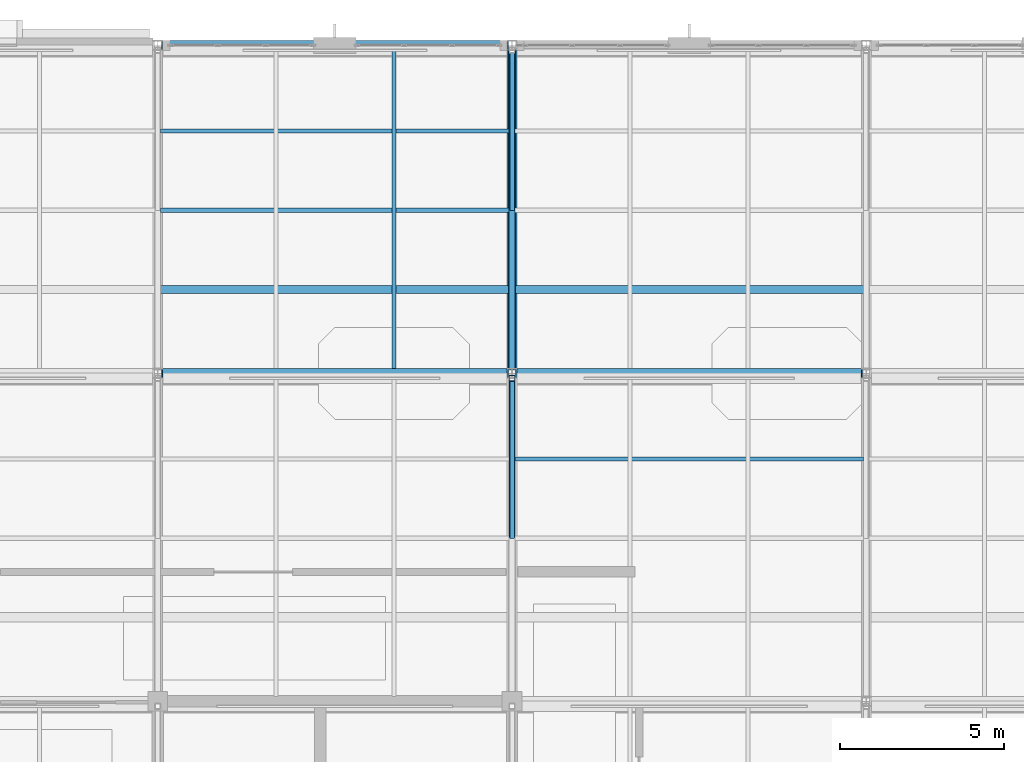
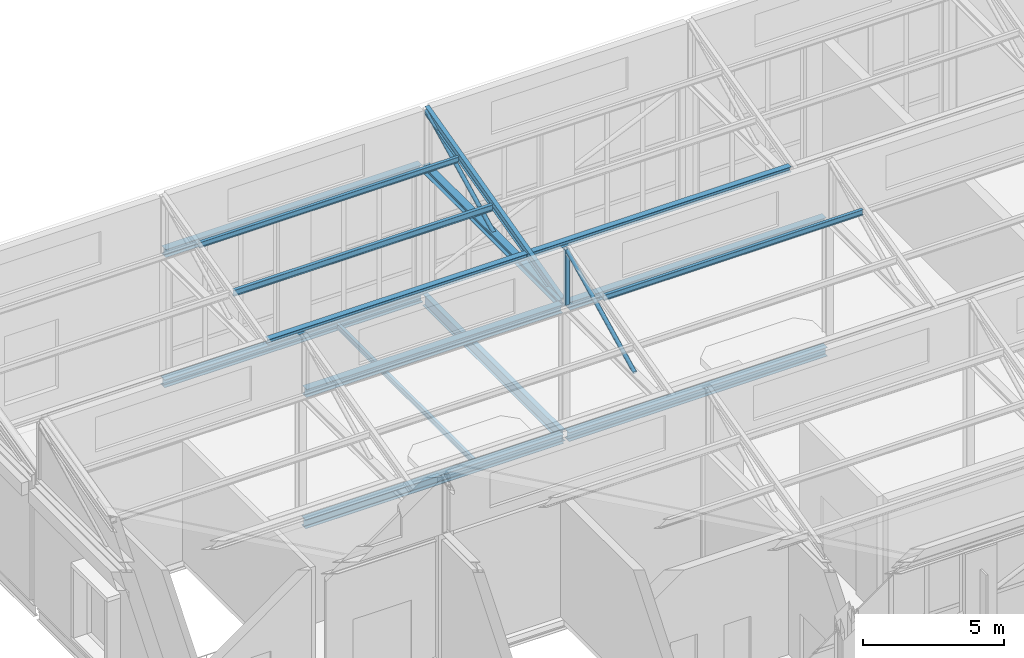
# One storey, part 12 of 49: 10 members, 8 beams.
"""IFC4 building model written with IfcOpenShell, lengths in metres."""

import ifcopenshell
import ifcopenshell.guid

model = None  # the IFC model being written
_history = None  # IfcOwnerHistory: only IFC2X3 demands one
_inside = {}  # id of a spatial element -> (the spatial element, [elements in it])
_under = {}  # id of a project, library or spatial element -> (it, [spatial elements below it])
_declared = {}  # id of a project -> (the project, [libraries it declares])
_typed = {}  # id of a type object -> (the type object, [elements of that type])
_made_of = {}  # id of a material, layer set ... -> (it, [elements and type objects made of it])


def new_model(schema):
    """Start an empty IFC model of exactly this schema.

    Asked for "IFC4X3", IfcOpenShell would pick the latest addendum, in which some entities
    have other attributes; the version numbers below select the first issue.
    IFC2X3 requires an IfcOwnerHistory on every rooted entity: one is made here for all.
    """
    global model, _history
    if schema == "IFC4X3":
        model = ifcopenshell.file(schema_version=(4, 3, 0, 0))
    else:
        model = ifcopenshell.file(schema=schema)
    _inside.clear()
    _under.clear()
    _declared.clear()
    _typed.clear()
    _made_of.clear()
    _history = None
    if model.schema == "IFC2X3":
        org = make("IfcOrganization", Name="unknown")
        user = make(
            "IfcPersonAndOrganization",
            ThePerson=make("IfcPerson", FamilyName="unknown"),
            TheOrganization=org,
        )
        app = make(
            "IfcApplication",
            ApplicationDeveloper=org,
            Version="unknown",
            ApplicationFullName="unknown",
            ApplicationIdentifier="unknown",
        )
        _history = make(
            "IfcOwnerHistory",
            OwningUser=user,
            OwningApplication=app,
            ChangeAction="ADDED",
            CreationDate=0,
        )
    return model


def make(cls, **values):
    """One entity of the class cls with the attributes given. An attribute that is None is left unset."""
    return model.create_entity(
        cls, **{name: value for name, value in values.items() if value is not None}
    )


def rooted(cls, **values):
    """An entity with a GlobalId (a new one), such as an element, a storey or a relation."""
    return make(cls, GlobalId=ifcopenshell.guid.new(), OwnerHistory=_history, **values)


def si_unit(unit_type, name, prefix=None):
    """IfcSIUnit, for example si_unit("LENGTHUNIT", "METRE", prefix="MILLI")."""
    return make("IfcSIUnit", UnitType=unit_type, Prefix=prefix, Name=name)


def assignment(units):
    """IfcUnitAssignment: the units of a project."""
    return None if units is None else make("IfcUnitAssignment", Units=units)


def point(xyz):
    """IfcCartesianPoint."""
    return None if xyz is None else make("IfcCartesianPoint", Coordinates=xyz)


def direction(xyz):
    """IfcDirection."""
    return None if xyz is None else make("IfcDirection", DirectionRatios=xyz)


def frame(location, z_axis=None, x_axis=None):
    """IfcAxis2Placement3D, a coordinate frame: its origin and axes. An axis left out is left unset."""
    return make(
        "IfcAxis2Placement3D",
        Location=point(location),
        Axis=direction(z_axis),
        RefDirection=direction(x_axis),
    )


def frame_2d(location, x_axis=None):
    """IfcAxis2Placement2D, a coordinate frame in the plane: its origin and x axis."""
    return make(
        "IfcAxis2Placement2D", Location=point(location), RefDirection=direction(x_axis)
    )


def origin():
    """The frame at (0, 0, 0) with its axes left unset."""
    return frame((0.0, 0.0, 0.0))


def origin_2d():
    """The frame at (0, 0) in the plane with its x axis left unset."""
    return frame_2d((0.0, 0.0))


def place(relative_to, where):
    """IfcLocalPlacement: puts the frame where relative to a parent placement (None: the world)."""
    return make(
        "IfcLocalPlacement", PlacementRelTo=relative_to, RelativePlacement=where
    )


def context(
    kind, dimensions, precision=None, world=None, true_north=None, identifier=None
):
    """IfcGeometricRepresentationContext, for example the 3D "Model" context."""
    return make(
        "IfcGeometricRepresentationContext",
        ContextIdentifier=identifier,
        ContextType=kind,
        CoordinateSpaceDimension=dimensions,
        Precision=precision,
        WorldCoordinateSystem=world,
        TrueNorth=true_north,
    )


def subcontext(parent, identifier, kind, view, scale=None):
    """IfcGeometricRepresentationSubContext, for example "Body" below "Model"."""
    return make(
        "IfcGeometricRepresentationSubContext",
        ContextIdentifier=identifier,
        ContextType=kind,
        ParentContext=parent,
        TargetScale=scale,
        TargetView=view,
    )


def project(units=None, contexts=None):
    """IfcProject with its units and contexts."""
    return rooted(
        "IfcProject",
        Name="project",
        RepresentationContexts=contexts,
        UnitsInContext=assignment(units),
    )


def spatial(cls, under=None, at=None, **own):
    """A site, building, storey or space (cls), placed at a placement, below another one or the project."""
    s = rooted(cls, ObjectPlacement=at, **own)
    if under is not None:
        _under.setdefault(under.id(), (under, []))[1].append(s)
    return s


def profile(cls, at=None, kind="AREA", **sizes):
    """A parametric profile (cls). Its sizes go by their IFC names, for example OverallWidth=200.0."""
    return make(cls, ProfileType=kind, Position=at, **sizes)


def hollow_rectangle(**sizes):
    """IfcRectangleHollowProfileDef."""
    return profile("IfcRectangleHollowProfileDef", **sizes)


def hollow_circle(**sizes):
    """IfcCircleHollowProfileDef."""
    return profile("IfcCircleHollowProfileDef", **sizes)


def i_section(**sizes):
    """IfcIShapeProfileDef."""
    return profile("IfcIShapeProfileDef", **sizes)


def extrude(swept, where, along, depth):
    """IfcExtrudedAreaSolid: the profile swept, set in the frame where, extruded along a direction by depth."""
    return make(
        "IfcExtrudedAreaSolid",
        SweptArea=swept,
        Position=where,
        ExtrudedDirection=direction(along),
        Depth=depth,
    )


def shape(context_of_items, identifier, shape_type, items):
    """IfcShapeRepresentation: the items that make up one representation, for example the "Body"."""
    return make(
        "IfcShapeRepresentation",
        ContextOfItems=context_of_items,
        RepresentationIdentifier=identifier,
        RepresentationType=shape_type,
        Items=items,
    )


def material(Name=None, Category=None):
    """IfcMaterial."""
    return make("IfcMaterial", Name=Name, Category=Category)


def material_profile(
    of_material, cross_section, Name=None, Category=None, Priority=None
):
    """IfcMaterialProfile: a cross section and its material."""
    return make(
        "IfcMaterialProfile",
        Name=Name,
        Material=of_material,
        Profile=cross_section,
        Priority=Priority,
        Category=Category,
    )


def profile_set(profiles, Name=None, composite=None):
    """IfcMaterialProfileSet."""
    return make(
        "IfcMaterialProfileSet",
        Name=Name,
        MaterialProfiles=profiles,
        CompositeProfile=composite,
    )


def made_of(thing, what):
    """Note that an element or type object is made of a material, layer set ...; save() writes the relation."""
    if what is not None:
        _made_of.setdefault(what.id(), (what, []))[1].append(thing)
    return thing


def type_object(cls, material=None, **own):
    """A type object (cls), such as IfcWallType, which elements share."""
    return made_of(rooted(cls, **own), material)


def element(
    cls,
    number,
    at=None,
    inside=None,
    cuts=None,
    type_object=None,
    material=None,
    context=None,
    identifier="Body",
    shape_type=None,
    held_by="IfcProductDefinitionShape",
    body=None,
    shapes=None,
    **own,
):
    """One element of the class cls, such as IfcWall. Its Tag is "e" and its number.

    at: its placement. inside: the storey or other place that contains it. cuts: it is an
    opening in that element (IfcRelVoidsElement). A single representation is given by context,
    identifier, shape_type and body (its items); several are given by shapes. held_by: the class
    of the entity that holds the representations. save() writes the other relations.
    """
    e = rooted(cls, Tag="e%d" % number, ObjectPlacement=at, **own)
    if body is not None:
        shapes = [shape(context, identifier, shape_type, body)]
    if shapes is not None:
        e.Representation = make(held_by, Representations=shapes)
    if inside is not None:
        _inside.setdefault(inside.id(), (inside, []))[1].append(e)
    if cuts is not None:
        rooted(
            "IfcRelVoidsElement", RelatingBuildingElement=cuts, RelatedOpeningElement=e
        )
    if type_object is not None:
        _typed.setdefault(type_object.id(), (type_object, []))[1].append(e)
    return made_of(e, material)


def aggregate(whole, parts):
    """IfcRelAggregates: a whole, such as a stair, and the parts it consists of."""
    return rooted("IfcRelAggregates", RelatingObject=whole, RelatedObjects=parts)


def save(model, path):
    """Write the relations noted so far, then the file.

    IfcRelAggregates (storeys below a building ...), IfcRelContainedInSpatialStructure (elements
    in a storey), IfcRelDefinesByType, IfcRelAssociatesMaterial and IfcRelDeclares: one each for
    every whole, place, type object, material and project.
    """
    for whole, parts in _under.values():
        aggregate(whole, parts)
    for where, things in _inside.values():
        rooted(
            "IfcRelContainedInSpatialStructure",
            RelatedElements=things,
            RelatingStructure=where,
        )
    for kind, things in _typed.values():
        rooted("IfcRelDefinesByType", RelatedObjects=things, RelatingType=kind)
    for what, things in _made_of.values():
        rooted("IfcRelAssociatesMaterial", RelatedObjects=things, RelatingMaterial=what)
    for by, libraries in _declared.values():
        rooted("IfcRelDeclares", RelatingContext=by, RelatedDefinitions=libraries)
    model.write(path)


model = new_model("IFC4")

# Units and contexts
model_context = context("Model", 3, precision=1e-05, world=origin(), true_north=direction((0.0, 1.0)))
body_context = subcontext(model_context, "Body", "Model", "MODEL_VIEW")
ifc_project = project(units=[si_unit("LENGTHUNIT", "METRE"), si_unit("AREAUNIT", "SQUARE_METRE"), si_unit("VOLUMEUNIT", "CUBIC_METRE"), si_unit("PLANEANGLEUNIT", "RADIAN"), si_unit("MASSUNIT", "GRAM", prefix="KILO")], contexts=[model_context])

# Site, building, storey
site_placement = place(None, origin())
site = spatial("IfcSite", under=ifc_project, at=site_placement, CompositionType="ELEMENT")
building_placement = place(site_placement, origin())
building = spatial("IfcBuilding", under=site, at=building_placement, Name="Tasgan Crest Museum", CompositionType="ELEMENT")
storey_placement = place(building_placement, frame((0.0, 0.0, 28.800048828125)))
storey = spatial("IfcBuildingStorey", under=building, at=storey_placement, Name="L05", CompositionType="ELEMENT", Elevation=28.800048828125)

# Beams
ifc_material_1 = material(Name="Steel S355J2", Category="steel")
ifc_material_profile_1 = material_profile(ifc_material_1, i_section(OverallWidth=0.300048828125, OverallDepth=0.35009765625, WebThickness=0.009521484375, FlangeThickness=0.017578125, FilletRadius=0.027099609375, at=origin_2d()), Name="HEA 360")
ifc_profile_set_1 = profile_set([ifc_material_profile_1], Name="Steel S355J2")
beam_type_1 = type_object("IfcBeamType", Name="BM-G-HEA360", PredefinedType="BEAM", material=ifc_profile_set_1)
for number, where, z_axis, x_axis, name in (
    (1, (10.949951171875, 102.0, 5.219970703125), (1.0, 0.0, 0.0), (0.0, 1.0, 0.0), "Sawtooth valley girder B3 10.8-21.6"),
    (2, (21.75, 102.0, 5.219970703125), (1.0, 0.0, 0.0), (0.0, 1.0, 0.0), "Sawtooth valley girder B3 21.6-32.4"),
    (3, (10.949951171875, 112.0, 5.219970703125), (1.0, 0.0, 0.0), (0.0, 1.0, 0.0), "Sawtooth north eave girder 10.8-21.6"),
):
    element("IfcBeam", number, at=place(storey_placement, frame(where, z_axis=z_axis, x_axis=x_axis)), inside=storey, type_object=beam_type_1, Name=name, PredefinedType="BEAM", context=body_context, shape_type="SweptSolid", body=[
        extrude(i_section(OverallWidth=0.300048828125, OverallDepth=0.35009765625, WebThickness=0.009521484375, FlangeThickness=0.017578125, FilletRadius=0.027099609375, at=origin_2d()), origin(), (0.0, 0.0, 1.0), 10.5),
    ])
ifc_material_2 = material(Name="Steel S355J2", Category="steel")
ifc_material_profile_2 = material_profile(ifc_material_2, i_section(OverallWidth=0.300048828125, OverallDepth=0.389892578125, WebThickness=0.010986328125, FlangeThickness=0.01904296875, FilletRadius=0.027099609375, at=origin_2d()), Name="HEA 400")
ifc_profile_set_2 = profile_set([ifc_material_profile_2], Name="Steel S355J2")
beam_type_2 = type_object("IfcBeamType", Name="BM-G-HEA400", PredefinedType="BEAM", material=ifc_profile_set_2)
for number, where, z_axis, x_axis, name in (
    (4, (10.906005859375, 102.0, -0.43505859375), (1.0, 0.0, 0.0), (0.0, 1.0, 0.0), "Girder L05 L 10.8-21.6"),
    (5, (21.7060546875, 102.0, -0.43505859375), (1.0, 0.0, 0.0), (0.0, 1.0, 0.0), "Girder L05 L 21.6-32.4"),
):
    element("IfcBeam", number, at=place(storey_placement, frame(where, z_axis=z_axis, x_axis=x_axis)), inside=storey, type_object=beam_type_2, Name=name, PredefinedType="BEAM", context=body_context, shape_type="SweptSolid", body=[
        extrude(i_section(OverallWidth=0.300048828125, OverallDepth=0.389892578125, WebThickness=0.010986328125, FlangeThickness=0.01904296875, FilletRadius=0.027099609375, at=origin_2d()), origin(), (0.0, 0.0, 1.0), 10.587890625),
    ])
ifc_material_3 = material(Name="Steel S355J2", Category="steel")
ifc_material_profile_3 = material_profile(ifc_material_3, i_section(OverallWidth=0.300048828125, OverallDepth=0.340087890625, WebThickness=0.011962890625, FlangeThickness=0.021484375, FilletRadius=0.027099609375, at=origin_2d()), Name="HEB 340")
ifc_profile_set_3 = profile_set([ifc_material_profile_3], Name="Steel S355J2")
beam_type_3 = type_object("IfcBeamType", Name="BM-G-HEB340", PredefinedType="BEAM", material=ifc_profile_set_3)
beam_1_placement = place(storey_placement, frame((10.906005859375, 112.0, -0.41015625), z_axis=(1.0, 0.0, 0.0), x_axis=(0.0, 1.0, 0.0)))
element("IfcBeam", 6, at=beam_1_placement, inside=storey, type_object=beam_type_3, Name="Girder L05 M 10.8-21.6", PredefinedType="BEAM", context=body_context, shape_type="SweptSolid", body=[
    extrude(i_section(OverallWidth=0.300048828125, OverallDepth=0.340087890625, WebThickness=0.011962890625, FlangeThickness=0.021484375, FilletRadius=0.027099609375, at=origin_2d()), origin(), (0.0, 0.0, 1.0), 10.587890625),
])
ifc_material_4 = material(Name="Steel S355J2", Category="steel")
ifc_material_profile_4 = material_profile(ifc_material_4, i_section(OverallWidth=0.199951171875, OverallDepth=0.5, WebThickness=0.01025390625, FlangeThickness=0.01611328125, FilletRadius=0.02099609375, at=origin_2d()), Name="IPE 500")
ifc_profile_set_4 = profile_set([ifc_material_profile_4], Name="Steel S355J2")
beam_type_4 = type_object("IfcBeamType", Name="BM-G-IPE500", PredefinedType="BEAM", material=ifc_profile_set_4)
beam_2_placement = place(storey_placement, frame((21.60009765625, 102.10498046875, -0.489990234375), z_axis=(0.0, 1.0, 0.0), x_axis=(-1.0, 0.0, 0.0)))
element("IfcBeam", 7, at=beam_2_placement, inside=storey, type_object=beam_type_4, Name="Beam L05 3 102.0-112.0", PredefinedType="BEAM", context=body_context, shape_type="SweptSolid", body=[
    extrude(i_section(OverallWidth=0.199951171875, OverallDepth=0.5, WebThickness=0.01025390625, FlangeThickness=0.01611328125, FilletRadius=0.02099609375, at=origin_2d()), origin(), (0.0, 0.0, 1.0), 9.7900390625),
])
ifc_material_5 = material(Name="Steel S355J2", Category="steel")
ifc_material_profile_5 = material_profile(ifc_material_5, i_section(OverallWidth=0.1201171875, OverallDepth=0.239990234375, WebThickness=0.006103515625, FlangeThickness=0.009765625, FilletRadius=0.014892578125, at=origin_2d()), Name="IPE 240")
ifc_profile_set_5 = profile_set([ifc_material_profile_5], Name="Steel S355J2")
beam_type_5 = type_object("IfcBeamType", Name="BM-J-IPE240", PredefinedType="JOIST", material=ifc_profile_set_5)
beam_3_placement = place(storey_placement, frame((18.0, 102.14501953125, -0.360107421875), z_axis=(0.0, 1.0, 0.0), x_axis=(-1.0, 0.0, 0.0)))
element("IfcBeam", 8, at=beam_3_placement, inside=storey, type_object=beam_type_5, Name="Secondary joist L05 X=18.0 Y=102.0-112.0", PredefinedType="JOIST", context=body_context, shape_type="SweptSolid", body=[
    extrude(i_section(OverallWidth=0.1201171875, OverallDepth=0.239990234375, WebThickness=0.006103515625, FlangeThickness=0.009765625, FilletRadius=0.014892578125, at=origin_2d()), origin(), (0.0, 0.0, 1.0), 9.7099609375),
])

# Members
ifc_material_6 = material(Name="Steel S355J2", Category="steel")
ifc_material_profile_6 = material_profile(ifc_material_6, i_section(OverallWidth=0.239990234375, OverallDepth=0.22998046875, WebThickness=0.007568359375, FlangeThickness=0.011962890625, FilletRadius=0.02099609375, at=origin_2d()), Name="HEA 240")
ifc_profile_set_6 = profile_set([ifc_material_profile_6], Name="Steel S355J2")
member_type_1 = type_object("IfcMemberType", Name="MEM-PUR-HEA240", PredefinedType="PURLIN", material=ifc_profile_set_6)
for number, where, z_axis, x_axis, name in (
    (9, (10.885009765625, 104.5625, 5.889892578125), (1.0, 0.0, 0.0), (0.0, 1.0, 0.0), "Sawtooth roof purlin B3 10.8-21.6 P1"),
    (10, (21.68505859375, 104.5625, 5.889892578125), (1.0, 0.0, 0.0), (0.0, 1.0, 0.0), "Sawtooth roof purlin B3 21.6-32.4 P1"),
):
    element("IfcMember", number, at=place(storey_placement, frame(where, z_axis=z_axis, x_axis=x_axis)), inside=storey, type_object=member_type_1, Name=name, PredefinedType="PURLIN", context=body_context, shape_type="SweptSolid", body=[
        extrude(i_section(OverallWidth=0.239990234375, OverallDepth=0.22998046875, WebThickness=0.007568359375, FlangeThickness=0.011962890625, FilletRadius=0.02099609375, at=origin_2d()), origin(), (0.0, 0.0, 1.0), 10.6298828125),
    ])
ifc_material_7 = material(Name="Steel S355J2", Category="steel")
ifc_material_profile_7 = material_profile(ifc_material_7, i_section(OverallWidth=0.1201171875, OverallDepth=0.239990234375, WebThickness=0.006103515625, FlangeThickness=0.009765625, FilletRadius=0.014892578125, at=origin_2d()), Name="IPE 240")
ifc_profile_set_7 = profile_set([ifc_material_profile_7], Name="Steel S355J2")
member_type_2 = type_object("IfcMemberType", Name="MEM-PURLIN-240", PredefinedType="PURLIN", material=ifc_profile_set_7)
for number, where, z_axis, x_axis, name in (
    (11, (21.68505859375, 99.387451171875, 7.1298828125), (1.0, 0.0, 0.0), (0.0, 1.0, 0.0), "Sawtooth roof purlin B2 21.6-32.4 P3"),
    (12, (10.885009765625, 109.387451171875, 7.1298828125), (1.0, 0.0, 0.0), (0.0, 1.0, 0.0), "Sawtooth roof purlin B3 10.8-21.6 P3"),
):
    element("IfcMember", number, at=place(storey_placement, frame(where, z_axis=z_axis, x_axis=x_axis)), inside=storey, type_object=member_type_2, Name=name, PredefinedType="PURLIN", context=body_context, shape_type="SweptSolid", body=[
        extrude(i_section(OverallWidth=0.1201171875, OverallDepth=0.239990234375, WebThickness=0.006103515625, FlangeThickness=0.009765625, FilletRadius=0.014892578125, at=origin_2d()), origin(), (0.0, 0.0, 1.0), 10.6298828125),
    ])
ifc_material_8 = material(Name="Steel S355J2", Category="steel")
ifc_material_profile_8 = material_profile(ifc_material_8, i_section(OverallWidth=0.135009765625, OverallDepth=0.27001953125, WebThickness=0.006591796875, FlangeThickness=0.01025390625, FilletRadius=0.014892578125, at=origin_2d()), Name="IPE 270")
ifc_profile_set_8 = profile_set([ifc_material_profile_8], Name="Steel S355J2")
member_type_3 = type_object("IfcMemberType", Name="MEM-PURLIN-270", PredefinedType="PURLIN", material=ifc_profile_set_8)
member_1_placement = place(storey_placement, frame((10.885009765625, 106.97509765625, 6.510009765625), z_axis=(1.0, 0.0, 0.0), x_axis=(0.0, 1.0, 0.0)))
element("IfcMember", 13, at=member_1_placement, inside=storey, type_object=member_type_3, Name="Sawtooth roof purlin B3 10.8-21.6 P2", PredefinedType="PURLIN", context=body_context, shape_type="SweptSolid", body=[
    extrude(i_section(OverallWidth=0.135009765625, OverallDepth=0.27001953125, WebThickness=0.006591796875, FlangeThickness=0.01025390625, FilletRadius=0.014892578125, at=origin_2d()), origin(), (0.0, 0.0, 1.0), 10.6298828125),
])
ifc_material_9 = material(Name="Steel S355K2", Category="steel")
ifc_material_profile_9 = material_profile(ifc_material_9, i_section(OverallWidth=0.300048828125, OverallDepth=0.31005859375, WebThickness=0.009033203125, FlangeThickness=0.015380859375, FilletRadius=0.027099609375, at=origin_2d()), Name="HEA 320")
ifc_profile_set_9 = profile_set([ifc_material_profile_9], Name="Steel S355K2")
member_type_4 = type_object("IfcMemberType", Name="TR-SAW-CHORD", PredefinedType="CHORD", material=ifc_profile_set_9)
member_2_placement = place(storey_placement, frame((21.60009765625, 102.14990234375, 5.239990234375), z_axis=(0.0, 1.0, 0.0), x_axis=(-1.0, 0.0, 0.0)))
element("IfcMember", 14, at=member_2_placement, inside=storey, type_object=member_type_4, Name="Roof truss bottom chord B3 3", PredefinedType="CHORD", context=body_context, shape_type="SweptSolid", body=[
    extrude(i_section(OverallWidth=0.300048828125, OverallDepth=0.31005859375, WebThickness=0.009033203125, FlangeThickness=0.015380859375, FilletRadius=0.027099609375, at=origin_2d()), origin(), (0.0, 0.0, 1.0), 9.7001953125),
])
ifc_material_10 = material(Name="Steel S355K2", Category="steel")
ifc_material_profile_10 = material_profile(ifc_material_10, hollow_circle(Radius=0.084228515625, WallThickness=0.008056640625, at=origin_2d()), Name="CHS 168.3x8")
ifc_profile_set_10 = profile_set([ifc_material_profile_10], Name="Steel S355K2")
member_type_5 = type_object("IfcMemberType", Name="TR-SAW-DIAG", PredefinedType="BRACE", material=ifc_profile_set_10)
for number, where, z_axis, x_axis, name in (
    (15, (21.60009765625, 97.0, 5.349853515625), (0.0, 0.894418092416, 0.447231792205), (-1.0, 0.0, 0.0), "Roof truss diagonal B2 3"),
    (16, (21.60009765625, 107.0, 5.349853515625), (0.0, 0.894418092416, 0.447231792205), (-1.0, 0.0, 0.0), "Roof truss diagonal B3 3"),
):
    element("IfcMember", number, at=place(storey_placement, frame(where, z_axis=z_axis, x_axis=x_axis)), inside=storey, type_object=member_type_5, Name=name, PredefinedType="BRACE", context=body_context, shape_type="SweptSolid", body=[
        extrude(hollow_circle(Radius=0.084228515625, WallThickness=0.008056640625, at=origin_2d()), origin(), (0.0, 0.0, 1.0), 5.36669921875),
    ])
ifc_material_11 = material(Name="Steel S355K2", Category="steel")
ifc_material_profile_11 = material_profile(ifc_material_11, hollow_rectangle(XDim=0.179931640625, YDim=0.179931640625, WallThickness=0.010009765625, InnerFilletRadius=0.010009765625, OuterFilletRadius=0.02001953125, at=origin_2d()), Name="SHS 180x180x10")
ifc_profile_set_11 = profile_set([ifc_material_profile_11], Name="Steel S355K2")
member_type_6 = type_object("IfcMemberType", Name="TR-SAW-POST", PredefinedType="POST", material=ifc_profile_set_11)
member_3_placement = place(storey_placement, frame((21.60009765625, 101.85009765625, 5.389892578125), z_axis=(0.0, 0.0, 1.0), x_axis=(1.0, 0.0, 0.0)))
element("IfcMember", 17, at=member_3_placement, inside=storey, type_object=member_type_6, Name="Roof truss north post B2 3", PredefinedType="POST", context=body_context, shape_type="SweptSolid", body=[
    extrude(hollow_rectangle(XDim=0.179931640625, YDim=0.179931640625, WallThickness=0.010009765625, InnerFilletRadius=0.010009765625, OuterFilletRadius=0.02001953125, at=origin_2d()), origin(), (0.0, 0.0, 1.0), 2.41015625),
])
ifc_material_12 = material(Name="Steel S355K2", Category="steel")
ifc_material_profile_12 = material_profile(ifc_material_12, i_section(OverallWidth=0.169921875, OverallDepth=0.360107421875, WebThickness=0.008056640625, FlangeThickness=0.0126953125, FilletRadius=0.01806640625, at=origin_2d()), Name="IPE 360")
ifc_profile_set_12 = profile_set([ifc_material_profile_12], Name="Steel S355K2")
member_type_7 = type_object("IfcMemberType", Name="TR-SAW-RAFTER", PredefinedType="RAFTER", material=ifc_profile_set_12)
member_4_placement = place(storey_placement, frame((21.60009765625, 102.14990234375, 5.320068359375), z_axis=(0.0, 0.968528888954, 0.248901167657), x_axis=(-1.0, 0.0, 0.0)))
element("IfcMember", 18, at=member_4_placement, inside=storey, type_object=member_type_7, Name="Roof truss rafter B3 3", PredefinedType="RAFTER", context=body_context, shape_type="SweptSolid", body=[
    extrude(i_section(OverallWidth=0.169921875, OverallDepth=0.360107421875, WebThickness=0.008056640625, FlangeThickness=0.0126953125, FilletRadius=0.01806640625, at=origin_2d()), origin(), (0.0, 0.0, 1.0), 9.963623046875),
])

save(model, "model.ifc")
